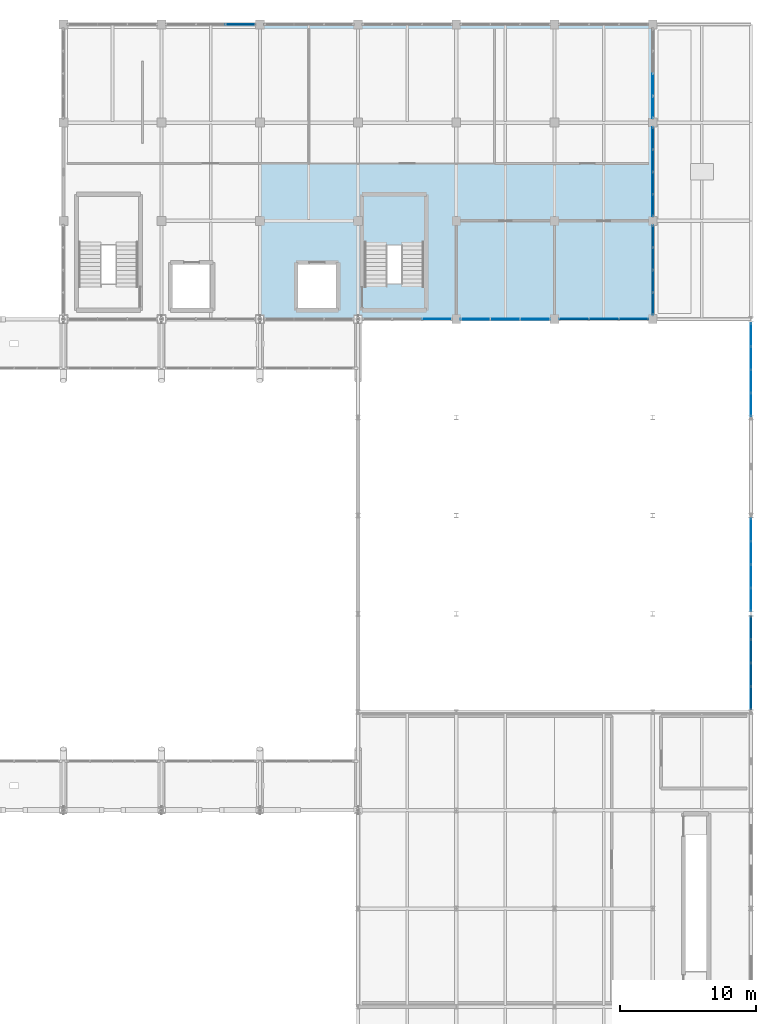
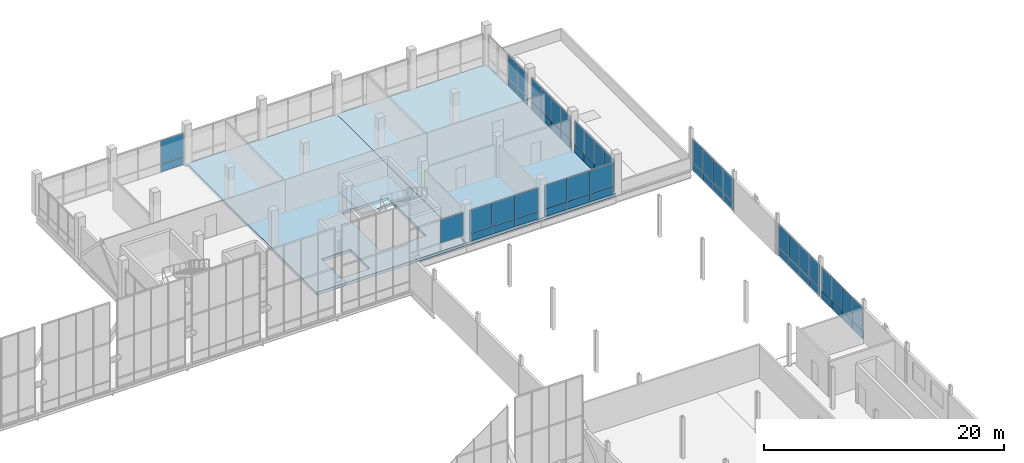
# One storey, part 82 of 102: 59 plates, 3 slabs, 11 elements without a shape of their own.
"""IFC4 building model written with IfcOpenShell, lengths in metres."""

from ifc_helpers import new_model, si_unit, direction, frame, origin, origin_2d, place, context, subcontext, project, spatial, polyline, rectangle, outline, extrude, material, layer, layer_set, type_object, element, aggregate, save


model = new_model("IFC4")

# Units and contexts
model_context = context("Model", 3, precision=1e-05, world=origin(), true_north=direction((0.0, 1.0)))
body_context = subcontext(model_context, "Body", "Model", "MODEL_VIEW")
ifc_project = project(units=[si_unit("LENGTHUNIT", "METRE"), si_unit("AREAUNIT", "SQUARE_METRE"), si_unit("VOLUMEUNIT", "CUBIC_METRE"), si_unit("PLANEANGLEUNIT", "RADIAN"), si_unit("MASSUNIT", "GRAM", prefix="KILO")], contexts=[model_context])

# Site, building, storey
site_placement = place(None, origin())
site = spatial("IfcSite", under=ifc_project, at=site_placement, CompositionType="ELEMENT")
building_placement = place(site_placement, origin())
building = spatial("IfcBuilding", under=site, at=building_placement, Name="Yarey Park Central Fire Station", CompositionType="ELEMENT")
storey_placement = place(building_placement, frame((0.0, 0.0, 6.0)))
storey = spatial("IfcBuildingStorey", under=building, at=storey_placement, Name="L02", CompositionType="ELEMENT", Elevation=6.0)

# Curtain wall, plates
ifc_material_1 = material(Name="Anodized Aluminium Frame", Category="aluminium")
curtain_wall_type = type_object("IfcCurtainWallType", Name="ENV_CW_HQ_L02", PredefinedType="NOTDEFINED", material=ifc_material_1)
curtain_wall_1_placement = place(storey_placement, origin())
curtain_wall_1 = element("IfcCurtainWall", 1, at=curtain_wall_1_placement, inside=storey, type_object=curtain_wall_type, Name="CW_L02_V5_E_2", PredefinedType="NOTDEFINED")
ifc_material_2 = material(Name="Insulated Aluminium Spandrel Panel", Category="aluminium")
ifc_layer_1 = layer(ifc_material_2, 0.055908203125)
ifc_layer_set_1 = layer_set([ifc_layer_1], Name="Insulated Aluminium Spandrel Panel")
plate_type_1 = type_object("IfcPlateType", Name="ENV_PNL_SPN_01", PredefinedType="CURTAIN_PANEL", material=ifc_layer_set_1)
plate_1_placement = place(storey_placement, frame((165.60009765625, 73.02001953125, 0.04248046875), z_axis=(0.0, 0.0, 1.0), x_axis=(0.0, 1.0, 0.0)))
plate_1 = element("IfcPlate", 2, at=plate_1_placement, type_object=plate_type_1, Name="CW_L02_V5_E_2_PNL01", PredefinedType="CURTAIN_PANEL", context=body_context, shape_type="SweptSolid", body=[
    extrude(rectangle(XDim=1.679931640625, YDim=0.055908203125, at=origin_2d()), origin(), (0.0, 0.0, 1.0), 0.7900390625),
])
plate_2_placement = place(storey_placement, frame((165.60009765625, 74.739990234375, 0.04248046875), z_axis=(0.0, 0.0, 1.0), x_axis=(0.0, 1.0, 0.0)))
plate_2 = element("IfcPlate", 3, at=plate_2_placement, type_object=plate_type_1, Name="CW_L02_V5_E_2_PNL03", PredefinedType="CURTAIN_PANEL", context=body_context, shape_type="SweptSolid", body=[
    extrude(rectangle(XDim=1.679931640625, YDim=0.055908203125, at=origin_2d()), origin(), (0.0, 0.0, 1.0), 0.7900390625),
])
plate_3_placement = place(storey_placement, frame((165.60009765625, 76.4599609375, 0.04248046875), z_axis=(0.0, 0.0, 1.0), x_axis=(0.0, 1.0, 0.0)))
plate_3 = element("IfcPlate", 4, at=plate_3_placement, type_object=plate_type_1, Name="CW_L02_V5_E_2_PNL05", PredefinedType="CURTAIN_PANEL", context=body_context, shape_type="SweptSolid", body=[
    extrude(rectangle(XDim=1.679931640625, YDim=0.055908203125, at=origin_2d()), origin(), (0.0, 0.0, 1.0), 0.7900390625),
])
plate_4_placement = place(storey_placement, frame((165.60009765625, 78.179931640625, 0.04248046875), z_axis=(0.0, 0.0, 1.0), x_axis=(0.0, 1.0, 0.0)))
plate_4 = element("IfcPlate", 5, at=plate_4_placement, type_object=plate_type_1, Name="CW_L02_V5_E_2_PNL07", PredefinedType="CURTAIN_PANEL", context=body_context, shape_type="SweptSolid", body=[
    extrude(rectangle(XDim=1.679931640625, YDim=0.055908203125, at=origin_2d()), origin(), (0.0, 0.0, 1.0), 0.7900390625),
])

curtain_wall_2_placement = place(storey_placement, origin())
curtain_wall_2 = element("IfcCurtainWall", 6, at=curtain_wall_2_placement, inside=storey, type_object=curtain_wall_type, Name="CW_L02_V4_E_108", PredefinedType="NOTDEFINED")
plate_5_placement = place(storey_placement, frame((158.39990234375, 109.132568359375, 0.04248046875), z_axis=(0.0, 0.0, 1.0), x_axis=(0.0, 1.0, 0.0)))
plate_5 = element("IfcPlate", 7, at=plate_5_placement, type_object=plate_type_1, Name="CW_L02_V4_E_108_PNL01", PredefinedType="CURTAIN_PANEL", context=body_context, shape_type="SweptSolid", body=[
    extrude(rectangle(XDim=1.60498046875, YDim=0.055908203125, at=origin_2d()), origin(), (0.0, 0.0, 1.0), 0.7900390625),
])
plate_6_placement = place(storey_placement, frame((158.39990234375, 110.777587890625, 0.04248046875), z_axis=(0.0, 0.0, 1.0), x_axis=(0.0, 1.0, 0.0)))
plate_6 = element("IfcPlate", 8, at=plate_6_placement, type_object=plate_type_1, Name="CW_L02_V4_E_108_PNL03", PredefinedType="CURTAIN_PANEL", context=body_context, shape_type="SweptSolid", body=[
    extrude(rectangle(XDim=1.60498046875, YDim=0.055908203125, at=origin_2d()), origin(), (0.0, 0.0, 1.0), 0.7900390625),
])

curtain_wall_3_placement = place(storey_placement, origin())
curtain_wall_3 = element("IfcCurtainWall", 9, at=curtain_wall_3_placement, inside=storey, type_object=curtain_wall_type, Name="CW_L02_V5_E_3", PredefinedType="NOTDEFINED")
ifc_layer_2 = layer(ifc_material_2, 0.068115234375)
ifc_layer_set_2 = layer_set([ifc_layer_2], Name="Insulated Aluminium Spandrel Panel")
plate_type_2 = type_object("IfcPlateType", Name="ENV_PNL_SPN_02", PredefinedType="CURTAIN_PANEL", material=ifc_layer_set_2)
plate_7_placement = place(storey_placement, frame((165.60009765625, 87.3173828125, 0.04248046875), z_axis=(0.0, 0.0, 1.0), x_axis=(0.0, 1.0, 0.0)))
plate_7 = element("IfcPlate", 10, at=plate_7_placement, type_object=plate_type_2, Name="CW_L02_V5_E_3_PNL01", PredefinedType="CURTAIN_PANEL", context=body_context, shape_type="SweptSolid", body=[
    extrude(rectangle(XDim=1.675048828125, YDim=0.068115234375, at=origin_2d()), origin(), (0.0, 0.0, 1.0), 0.7900390625),
])
plate_8_placement = place(storey_placement, frame((165.60009765625, 89.032470703125, 0.04248046875), z_axis=(0.0, 0.0, 1.0), x_axis=(0.0, 1.0, 0.0)))
plate_8 = element("IfcPlate", 11, at=plate_8_placement, type_object=plate_type_2, Name="CW_L02_V5_E_3_PNL03", PredefinedType="CURTAIN_PANEL", context=body_context, shape_type="SweptSolid", body=[
    extrude(rectangle(XDim=1.675048828125, YDim=0.068115234375, at=origin_2d()), origin(), (0.0, 0.0, 1.0), 0.7900390625),
])
plate_9_placement = place(storey_placement, frame((165.60009765625, 90.74755859375, 0.04248046875), z_axis=(0.0, 0.0, 1.0), x_axis=(0.0, 1.0, 0.0)))
plate_9 = element("IfcPlate", 12, at=plate_9_placement, type_object=plate_type_2, Name="CW_L02_V5_E_3_PNL05", PredefinedType="CURTAIN_PANEL", context=body_context, shape_type="SweptSolid", body=[
    extrude(rectangle(XDim=1.675048828125, YDim=0.068115234375, at=origin_2d()), origin(), (0.0, 0.0, 1.0), 0.7900390625),
])
plate_10_placement = place(storey_placement, frame((165.60009765625, 92.46240234375, 0.04248046875), z_axis=(0.0, 0.0, 1.0), x_axis=(0.0, 1.0, 0.0)))
plate_10 = element("IfcPlate", 13, at=plate_10_placement, type_object=plate_type_2, Name="CW_L02_V5_E_3_PNL07", PredefinedType="CURTAIN_PANEL", context=body_context, shape_type="SweptSolid", body=[
    extrude(rectangle(XDim=1.675048828125, YDim=0.068115234375, at=origin_2d()), origin(), (0.0, 0.0, 1.0), 0.7900390625),
])

curtain_wall_4_placement = place(storey_placement, origin())
curtain_wall_4 = element("IfcCurtainWall", 14, at=curtain_wall_4_placement, inside=storey, type_object=curtain_wall_type, Name="CW_L02_V4_S_5", PredefinedType="NOTDEFINED")
plate_11_placement = place(storey_placement, frame((145.40673828125, 93.60009765625, 0.04248046875), z_axis=(0.0, 0.0, 1.0), x_axis=(1.0, 0.0, 0.0)))
plate_11 = element("IfcPlate", 15, at=plate_11_placement, type_object=plate_type_2, Name="CW_L02_V4_S_5_PNL01", PredefinedType="CURTAIN_PANEL", context=body_context, shape_type="SweptSolid", body=[
    extrude(rectangle(XDim=2.1533203125, YDim=0.068115234375, at=origin_2d()), origin(), (0.0, 0.0, 1.0), 0.7900390625),
])
plate_12_placement = place(storey_placement, frame((147.60009765625, 93.60009765625, 0.04248046875), z_axis=(0.0, 0.0, 1.0), x_axis=(1.0, 0.0, 0.0)))
plate_12 = element("IfcPlate", 16, at=plate_12_placement, type_object=plate_type_2, Name="CW_L02_V4_S_5_PNL03", PredefinedType="CURTAIN_PANEL", context=body_context, shape_type="SweptSolid", body=[
    extrude(rectangle(XDim=2.1533203125, YDim=0.068115234375, at=origin_2d()), origin(), (0.0, 0.0, 1.0), 0.7900390625),
])
plate_13_placement = place(storey_placement, frame((149.793212890625, 93.60009765625, 0.04248046875), z_axis=(0.0, 0.0, 1.0), x_axis=(1.0, 0.0, 0.0)))
plate_13 = element("IfcPlate", 17, at=plate_13_placement, type_object=plate_type_2, Name="CW_L02_V4_S_5_PNL05", PredefinedType="CURTAIN_PANEL", context=body_context, shape_type="SweptSolid", body=[
    extrude(rectangle(XDim=2.1533203125, YDim=0.068115234375, at=origin_2d()), origin(), (0.0, 0.0, 1.0), 0.7900390625),
])

# Curtain wall, plate
curtain_wall_5_placement = place(storey_placement, origin())
curtain_wall_5 = element("IfcCurtainWall", 18, at=curtain_wall_5_placement, inside=storey, type_object=curtain_wall_type, Name="CW_L02_V4_N_2", PredefinedType="NOTDEFINED")
ifc_layer_3 = layer(ifc_material_2, 0.077880859375)
ifc_layer_set_3 = layer_set([ifc_layer_3], Name="Insulated Aluminium Spandrel Panel")
plate_type_3 = type_object("IfcPlateType", Name="ENV_PNL_SPN_03", PredefinedType="CURTAIN_PANEL", material=ifc_layer_set_3)
plate_14_placement = place(storey_placement, frame((128.193359375, 115.199951171875, 0.04248046875), z_axis=(0.0, 0.0, 1.0), x_axis=(-1.0, 0.0, 0.0)))
plate_14 = element("IfcPlate", 19, at=plate_14_placement, type_object=plate_type_3, Name="CW_L02_V4_N_2_PNL01", PredefinedType="CURTAIN_PANEL", context=body_context, shape_type="SweptSolid", body=[
    extrude(rectangle(XDim=2.1533203125, YDim=0.077880859375, at=origin_2d()), origin(), (0.0, 0.0, 1.0), 0.7900390625),
])

# Curtain wall, plates
curtain_wall_6_placement = place(storey_placement, origin())
curtain_wall_6 = element("IfcCurtainWall", 20, at=curtain_wall_6_placement, inside=storey, type_object=curtain_wall_type, Name="CW_L02_V4_E_93", PredefinedType="NOTDEFINED")
plate_15_placement = place(storey_placement, frame((158.39990234375, 94.732421875, 0.04248046875), z_axis=(0.0, 0.0, 1.0), x_axis=(0.0, 1.0, 0.0)))
plate_15 = element("IfcPlate", 21, at=plate_15_placement, type_object=plate_type_3, Name="CW_L02_V4_E_93_PNL01", PredefinedType="CURTAIN_PANEL", context=body_context, shape_type="SweptSolid", body=[
    extrude(rectangle(XDim=1.60498046875, YDim=0.077880859375, at=origin_2d()), origin(), (0.0, 0.0, 1.0), 0.7900390625),
])
plate_16_placement = place(storey_placement, frame((158.39990234375, 96.37744140625, 0.04248046875), z_axis=(0.0, 0.0, 1.0), x_axis=(0.0, 1.0, 0.0)))
plate_16 = element("IfcPlate", 22, at=plate_16_placement, type_object=plate_type_3, Name="CW_L02_V4_E_93_PNL03", PredefinedType="CURTAIN_PANEL", context=body_context, shape_type="SweptSolid", body=[
    extrude(rectangle(XDim=1.60498046875, YDim=0.077880859375, at=origin_2d()), origin(), (0.0, 0.0, 1.0), 0.7900390625),
])
plate_17_placement = place(storey_placement, frame((158.39990234375, 98.0224609375, 0.04248046875), z_axis=(0.0, 0.0, 1.0), x_axis=(0.0, 1.0, 0.0)))
plate_17 = element("IfcPlate", 23, at=plate_17_placement, type_object=plate_type_3, Name="CW_L02_V4_E_93_PNL05", PredefinedType="CURTAIN_PANEL", context=body_context, shape_type="SweptSolid", body=[
    extrude(rectangle(XDim=1.60498046875, YDim=0.077880859375, at=origin_2d()), origin(), (0.0, 0.0, 1.0), 0.7900390625),
])
plate_18_placement = place(storey_placement, frame((158.39990234375, 99.66748046875, 0.04248046875), z_axis=(0.0, 0.0, 1.0), x_axis=(0.0, 1.0, 0.0)))
plate_18 = element("IfcPlate", 24, at=plate_18_placement, type_object=plate_type_3, Name="CW_L02_V4_E_93_PNL07", PredefinedType="CURTAIN_PANEL", context=body_context, shape_type="SweptSolid", body=[
    extrude(rectangle(XDim=1.60498046875, YDim=0.077880859375, at=origin_2d()), origin(), (0.0, 0.0, 1.0), 0.7900390625),
])

curtain_wall_7_placement = place(storey_placement, origin())
curtain_wall_7 = element("IfcCurtainWall", 25, at=curtain_wall_7_placement, inside=storey, type_object=curtain_wall_type, Name="CW_L02_V5_E_1", PredefinedType="NOTDEFINED")
ifc_layer_4 = layer(ifc_material_2, 0.087890625)
ifc_layer_set_4 = layer_set([ifc_layer_4], Name="Insulated Aluminium Spandrel Panel")
plate_type_4 = type_object("IfcPlateType", Name="ENV_PNL_SPN_04", PredefinedType="CURTAIN_PANEL", material=ifc_layer_set_4)
plate_19_placement = place(storey_placement, frame((165.60009765625, 65.820068359375, 0.04248046875), z_axis=(0.0, 0.0, 1.0), x_axis=(0.0, 1.0, 0.0)))
plate_19 = element("IfcPlate", 26, at=plate_19_placement, type_object=plate_type_4, Name="CW_L02_V5_E_1_PNL01", PredefinedType="CURTAIN_PANEL", context=body_context, shape_type="SweptSolid", body=[
    extrude(rectangle(XDim=1.679931640625, YDim=0.087890625, at=origin_2d()), origin(), (0.0, 0.0, 1.0), 0.7900390625),
])
plate_20_placement = place(storey_placement, frame((165.60009765625, 67.5400390625, 0.04248046875), z_axis=(0.0, 0.0, 1.0), x_axis=(0.0, 1.0, 0.0)))
plate_20 = element("IfcPlate", 27, at=plate_20_placement, type_object=plate_type_4, Name="CW_L02_V5_E_1_PNL03", PredefinedType="CURTAIN_PANEL", context=body_context, shape_type="SweptSolid", body=[
    extrude(rectangle(XDim=1.679931640625, YDim=0.087890625, at=origin_2d()), origin(), (0.0, 0.0, 1.0), 0.7900390625),
])
plate_21_placement = place(storey_placement, frame((165.60009765625, 69.260009765625, 0.04248046875), z_axis=(0.0, 0.0, 1.0), x_axis=(0.0, 1.0, 0.0)))
plate_21 = element("IfcPlate", 28, at=plate_21_placement, type_object=plate_type_4, Name="CW_L02_V5_E_1_PNL05", PredefinedType="CURTAIN_PANEL", context=body_context, shape_type="SweptSolid", body=[
    extrude(rectangle(XDim=1.679931640625, YDim=0.087890625, at=origin_2d()), origin(), (0.0, 0.0, 1.0), 0.7900390625),
])
plate_22_placement = place(storey_placement, frame((165.60009765625, 70.97998046875, 0.04248046875), z_axis=(0.0, 0.0, 1.0), x_axis=(0.0, 1.0, 0.0)))
plate_22 = element("IfcPlate", 29, at=plate_22_placement, type_object=plate_type_4, Name="CW_L02_V5_E_1_PNL07", PredefinedType="CURTAIN_PANEL", context=body_context, shape_type="SweptSolid", body=[
    extrude(rectangle(XDim=1.679931640625, YDim=0.087890625, at=origin_2d()), origin(), (0.0, 0.0, 1.0), 0.7900390625),
])

curtain_wall_8_placement = place(storey_placement, origin())
curtain_wall_8 = element("IfcCurtainWall", 30, at=curtain_wall_8_placement, inside=storey, type_object=curtain_wall_type, Name="CW_L02_V4_S_6", PredefinedType="NOTDEFINED")
plate_23_placement = place(storey_placement, frame((152.606689453125, 93.60009765625, 0.04248046875), z_axis=(0.0, 0.0, 1.0), x_axis=(1.0, 0.0, 0.0)))
plate_23 = element("IfcPlate", 31, at=plate_23_placement, type_object=plate_type_4, Name="CW_L02_V4_S_6_PNL01", PredefinedType="CURTAIN_PANEL", context=body_context, shape_type="SweptSolid", body=[
    extrude(rectangle(XDim=2.1533203125, YDim=0.087890625, at=origin_2d()), origin(), (0.0, 0.0, 1.0), 0.7900390625),
])
plate_24_placement = place(storey_placement, frame((154.800048828125, 93.60009765625, 0.04248046875), z_axis=(0.0, 0.0, 1.0), x_axis=(1.0, 0.0, 0.0)))
plate_24 = element("IfcPlate", 32, at=plate_24_placement, type_object=plate_type_4, Name="CW_L02_V4_S_6_PNL03", PredefinedType="CURTAIN_PANEL", context=body_context, shape_type="SweptSolid", body=[
    extrude(rectangle(XDim=2.1533203125, YDim=0.087890625, at=origin_2d()), origin(), (0.0, 0.0, 1.0), 0.7900390625),
])
plate_25_placement = place(storey_placement, frame((156.993408203125, 93.60009765625, 0.04248046875), z_axis=(0.0, 0.0, 1.0), x_axis=(1.0, 0.0, 0.0)))
plate_25 = element("IfcPlate", 33, at=plate_25_placement, type_object=plate_type_4, Name="CW_L02_V4_S_6_PNL05", PredefinedType="CURTAIN_PANEL", context=body_context, shape_type="SweptSolid", body=[
    extrude(rectangle(XDim=2.1533203125, YDim=0.087890625, at=origin_2d()), origin(), (0.0, 0.0, 1.0), 0.7900390625),
])

curtain_wall_9_placement = place(storey_placement, origin())
curtain_wall_9 = element("IfcCurtainWall", 34, at=curtain_wall_9_placement, inside=storey, type_object=curtain_wall_type, Name="CW_L02_V4_E_100", PredefinedType="NOTDEFINED")
plate_26_placement = place(storey_placement, frame((158.39990234375, 101.9326171875, 0.04248046875), z_axis=(0.0, 0.0, 1.0), x_axis=(0.0, 1.0, 0.0)))
plate_26 = element("IfcPlate", 35, at=plate_26_placement, type_object=plate_type_4, Name="CW_L02_V4_E_100_PNL01", PredefinedType="CURTAIN_PANEL", context=body_context, shape_type="SweptSolid", body=[
    extrude(rectangle(XDim=1.60498046875, YDim=0.087890625, at=origin_2d()), origin(), (0.0, 0.0, 1.0), 0.7900390625),
])
plate_27_placement = place(storey_placement, frame((158.39990234375, 103.577392578125, 0.04248046875), z_axis=(0.0, 0.0, 1.0), x_axis=(0.0, 1.0, 0.0)))
plate_27 = element("IfcPlate", 36, at=plate_27_placement, type_object=plate_type_4, Name="CW_L02_V4_E_100_PNL03", PredefinedType="CURTAIN_PANEL", context=body_context, shape_type="SweptSolid", body=[
    extrude(rectangle(XDim=1.60498046875, YDim=0.087890625, at=origin_2d()), origin(), (0.0, 0.0, 1.0), 0.7900390625),
])
plate_28_placement = place(storey_placement, frame((158.39990234375, 105.222412109375, 0.04248046875), z_axis=(0.0, 0.0, 1.0), x_axis=(0.0, 1.0, 0.0)))
plate_28 = element("IfcPlate", 37, at=plate_28_placement, type_object=plate_type_4, Name="CW_L02_V4_E_100_PNL05", PredefinedType="CURTAIN_PANEL", context=body_context, shape_type="SweptSolid", body=[
    extrude(rectangle(XDim=1.60498046875, YDim=0.087890625, at=origin_2d()), origin(), (0.0, 0.0, 1.0), 0.7900390625),
])
plate_29_placement = place(storey_placement, frame((158.39990234375, 106.867431640625, 0.04248046875), z_axis=(0.0, 0.0, 1.0), x_axis=(0.0, 1.0, 0.0)))
plate_29 = element("IfcPlate", 38, at=plate_29_placement, type_object=plate_type_4, Name="CW_L02_V4_E_100_PNL07", PredefinedType="CURTAIN_PANEL", context=body_context, shape_type="SweptSolid", body=[
    extrude(rectangle(XDim=1.60498046875, YDim=0.087890625, at=origin_2d()), origin(), (0.0, 0.0, 1.0), 0.7900390625),
])

# Plate
ifc_material_3 = material(Name="Laminated Hurricane Low-E Glass", Category="glass")
ifc_layer_5 = layer(ifc_material_3, 0.02392578125)
ifc_layer_set_5 = layer_set([ifc_layer_5], Name="Laminated Hurricane Low-E Glass")
plate_type_5 = type_object("IfcPlateType", Name="ENV_PNL_VIS_01", PredefinedType="CURTAIN_PANEL", material=ifc_layer_set_5)
plate_30_placement = place(storey_placement, frame((165.60009765625, 73.02001953125, 0.86767578125), z_axis=(0.0, 0.0, 1.0), x_axis=(0.0, 1.0, 0.0)))
plate_30 = element("IfcPlate", 39, at=plate_30_placement, type_object=plate_type_5, Name="CW_L02_V5_E_2_PNL02", PredefinedType="CURTAIN_PANEL", context=body_context, shape_type="SweptSolid", body=[
    extrude(rectangle(XDim=1.679931640625, YDim=0.02392578125, at=origin_2d()), origin(), (0.0, 0.0, 1.0), 2.340087890625),
])

plate_31_placement = place(storey_placement, frame((165.60009765625, 74.739990234375, 0.86767578125), z_axis=(0.0, 0.0, 1.0), x_axis=(0.0, 1.0, 0.0)))
plate_31 = element("IfcPlate", 40, at=plate_31_placement, type_object=plate_type_5, Name="CW_L02_V5_E_2_PNL04", PredefinedType="CURTAIN_PANEL", context=body_context, shape_type="SweptSolid", body=[
    extrude(rectangle(XDim=1.679931640625, YDim=0.02392578125, at=origin_2d()), origin(), (0.0, 0.0, 1.0), 2.340087890625),
])

plate_32_placement = place(storey_placement, frame((165.60009765625, 76.4599609375, 0.86767578125), z_axis=(0.0, 0.0, 1.0), x_axis=(0.0, 1.0, 0.0)))
plate_32 = element("IfcPlate", 41, at=plate_32_placement, type_object=plate_type_5, Name="CW_L02_V5_E_2_PNL06", PredefinedType="CURTAIN_PANEL", context=body_context, shape_type="SweptSolid", body=[
    extrude(rectangle(XDim=1.679931640625, YDim=0.02392578125, at=origin_2d()), origin(), (0.0, 0.0, 1.0), 2.340087890625),
])

plate_33_placement = place(storey_placement, frame((165.60009765625, 78.179931640625, 0.86767578125), z_axis=(0.0, 0.0, 1.0), x_axis=(0.0, 1.0, 0.0)))
plate_33 = element("IfcPlate", 42, at=plate_33_placement, type_object=plate_type_5, Name="CW_L02_V5_E_2_PNL08", PredefinedType="CURTAIN_PANEL", context=body_context, shape_type="SweptSolid", body=[
    extrude(rectangle(XDim=1.679931640625, YDim=0.02392578125, at=origin_2d()), origin(), (0.0, 0.0, 1.0), 2.340087890625),
])

aggregate(curtain_wall_1, [plate_1, plate_30, plate_2, plate_31, plate_3, plate_32, plate_4, plate_33])

plate_34_placement = place(storey_placement, frame((158.39990234375, 109.132568359375, 0.86767578125), z_axis=(0.0, 0.0, 1.0), x_axis=(0.0, 1.0, 0.0)))
plate_34 = element("IfcPlate", 43, at=plate_34_placement, type_object=plate_type_5, Name="CW_L02_V4_E_108_PNL02", PredefinedType="CURTAIN_PANEL", context=body_context, shape_type="SweptSolid", body=[
    extrude(rectangle(XDim=1.60498046875, YDim=0.02392578125, at=origin_2d()), origin(), (0.0, 0.0, 1.0), 2.340087890625),
])

plate_35_placement = place(storey_placement, frame((158.39990234375, 110.777587890625, 0.86767578125), z_axis=(0.0, 0.0, 1.0), x_axis=(0.0, 1.0, 0.0)))
plate_35 = element("IfcPlate", 44, at=plate_35_placement, type_object=plate_type_5, Name="CW_L02_V4_E_108_PNL04", PredefinedType="CURTAIN_PANEL", context=body_context, shape_type="SweptSolid", body=[
    extrude(rectangle(XDim=1.60498046875, YDim=0.02392578125, at=origin_2d()), origin(), (0.0, 0.0, 1.0), 2.340087890625),
])

aggregate(curtain_wall_2, [plate_5, plate_34, plate_6, plate_35])

ifc_layer_6 = layer(ifc_material_3, 0.031982421875)
ifc_layer_set_6 = layer_set([ifc_layer_6], Name="Laminated Hurricane Low-E Glass")
plate_type_6 = type_object("IfcPlateType", Name="ENV_PNL_VIS_02", PredefinedType="CURTAIN_PANEL", material=ifc_layer_set_6)
plate_36_placement = place(storey_placement, frame((165.60009765625, 87.3173828125, 0.86767578125), z_axis=(0.0, 0.0, 1.0), x_axis=(0.0, 1.0, 0.0)))
plate_36 = element("IfcPlate", 45, at=plate_36_placement, type_object=plate_type_6, Name="CW_L02_V5_E_3_PNL02", PredefinedType="CURTAIN_PANEL", context=body_context, shape_type="SweptSolid", body=[
    extrude(rectangle(XDim=1.675048828125, YDim=0.031982421875, at=origin_2d()), origin(), (0.0, 0.0, 1.0), 2.340087890625),
])

plate_37_placement = place(storey_placement, frame((165.60009765625, 89.032470703125, 0.86767578125), z_axis=(0.0, 0.0, 1.0), x_axis=(0.0, 1.0, 0.0)))
plate_37 = element("IfcPlate", 46, at=plate_37_placement, type_object=plate_type_6, Name="CW_L02_V5_E_3_PNL04", PredefinedType="CURTAIN_PANEL", context=body_context, shape_type="SweptSolid", body=[
    extrude(rectangle(XDim=1.675048828125, YDim=0.031982421875, at=origin_2d()), origin(), (0.0, 0.0, 1.0), 2.340087890625),
])

plate_38_placement = place(storey_placement, frame((165.60009765625, 90.74755859375, 0.86767578125), z_axis=(0.0, 0.0, 1.0), x_axis=(0.0, 1.0, 0.0)))
plate_38 = element("IfcPlate", 47, at=plate_38_placement, type_object=plate_type_6, Name="CW_L02_V5_E_3_PNL06", PredefinedType="CURTAIN_PANEL", context=body_context, shape_type="SweptSolid", body=[
    extrude(rectangle(XDim=1.675048828125, YDim=0.031982421875, at=origin_2d()), origin(), (0.0, 0.0, 1.0), 2.340087890625),
])

plate_39_placement = place(storey_placement, frame((165.60009765625, 92.46240234375, 0.86767578125), z_axis=(0.0, 0.0, 1.0), x_axis=(0.0, 1.0, 0.0)))
plate_39 = element("IfcPlate", 48, at=plate_39_placement, type_object=plate_type_6, Name="CW_L02_V5_E_3_PNL08", PredefinedType="CURTAIN_PANEL", context=body_context, shape_type="SweptSolid", body=[
    extrude(rectangle(XDim=1.675048828125, YDim=0.031982421875, at=origin_2d()), origin(), (0.0, 0.0, 1.0), 2.340087890625),
])

aggregate(curtain_wall_3, [plate_7, plate_36, plate_8, plate_37, plate_9, plate_38, plate_10, plate_39])

plate_40_placement = place(storey_placement, frame((145.40673828125, 93.60009765625, 0.867431640625), z_axis=(0.0, 0.0, 1.0), x_axis=(1.0, 0.0, 0.0)))
plate_40 = element("IfcPlate", 49, at=plate_40_placement, type_object=plate_type_6, Name="CW_L02_V4_S_5_PNL02", PredefinedType="CURTAIN_PANEL", context=body_context, shape_type="SweptSolid", body=[
    extrude(rectangle(XDim=2.1533203125, YDim=0.031982421875, at=origin_2d()), origin(), (0.0, 0.0, 1.0), 2.3369140625),
])

plate_41_placement = place(storey_placement, frame((147.60009765625, 93.60009765625, 0.867431640625), z_axis=(0.0, 0.0, 1.0), x_axis=(1.0, 0.0, 0.0)))
plate_41 = element("IfcPlate", 50, at=plate_41_placement, type_object=plate_type_6, Name="CW_L02_V4_S_5_PNL04", PredefinedType="CURTAIN_PANEL", context=body_context, shape_type="SweptSolid", body=[
    extrude(rectangle(XDim=2.1533203125, YDim=0.031982421875, at=origin_2d()), origin(), (0.0, 0.0, 1.0), 2.3369140625),
])

plate_42_placement = place(storey_placement, frame((149.793212890625, 93.60009765625, 0.867431640625), z_axis=(0.0, 0.0, 1.0), x_axis=(1.0, 0.0, 0.0)))
plate_42 = element("IfcPlate", 51, at=plate_42_placement, type_object=plate_type_6, Name="CW_L02_V4_S_5_PNL06", PredefinedType="CURTAIN_PANEL", context=body_context, shape_type="SweptSolid", body=[
    extrude(rectangle(XDim=2.1533203125, YDim=0.031982421875, at=origin_2d()), origin(), (0.0, 0.0, 1.0), 2.3369140625),
])

aggregate(curtain_wall_4, [plate_11, plate_40, plate_12, plate_41, plate_13, plate_42])

ifc_layer_7 = layer(ifc_material_3, 0.0380859375)
ifc_layer_set_7 = layer_set([ifc_layer_7], Name="Laminated Hurricane Low-E Glass")
plate_type_7 = type_object("IfcPlateType", Name="ENV_PNL_VIS_03", PredefinedType="CURTAIN_PANEL", material=ifc_layer_set_7)
plate_43_placement = place(storey_placement, frame((128.193359375, 115.199951171875, 0.867431640625), z_axis=(0.0, 0.0, 1.0), x_axis=(-1.0, 0.0, 0.0)))
plate_43 = element("IfcPlate", 52, at=plate_43_placement, type_object=plate_type_7, Name="CW_L02_V4_N_2_PNL02", PredefinedType="CURTAIN_PANEL", context=body_context, shape_type="SweptSolid", body=[
    extrude(rectangle(XDim=2.1533203125, YDim=0.0380859375, at=origin_2d()), origin(), (0.0, 0.0, 1.0), 2.3369140625),
])

aggregate(curtain_wall_5, [plate_14, plate_43])

plate_44_placement = place(storey_placement, frame((158.39990234375, 94.732421875, 0.86767578125), z_axis=(0.0, 0.0, 1.0), x_axis=(0.0, 1.0, 0.0)))
plate_44 = element("IfcPlate", 53, at=plate_44_placement, type_object=plate_type_7, Name="CW_L02_V4_E_93_PNL02", PredefinedType="CURTAIN_PANEL", context=body_context, shape_type="SweptSolid", body=[
    extrude(rectangle(XDim=1.60498046875, YDim=0.0380859375, at=origin_2d()), origin(), (0.0, 0.0, 1.0), 2.340087890625),
])

plate_45_placement = place(storey_placement, frame((158.39990234375, 96.37744140625, 0.86767578125), z_axis=(0.0, 0.0, 1.0), x_axis=(0.0, 1.0, 0.0)))
plate_45 = element("IfcPlate", 54, at=plate_45_placement, type_object=plate_type_7, Name="CW_L02_V4_E_93_PNL04", PredefinedType="CURTAIN_PANEL", context=body_context, shape_type="SweptSolid", body=[
    extrude(rectangle(XDim=1.60498046875, YDim=0.0380859375, at=origin_2d()), origin(), (0.0, 0.0, 1.0), 2.340087890625),
])

plate_46_placement = place(storey_placement, frame((158.39990234375, 98.0224609375, 0.86767578125), z_axis=(0.0, 0.0, 1.0), x_axis=(0.0, 1.0, 0.0)))
plate_46 = element("IfcPlate", 55, at=plate_46_placement, type_object=plate_type_7, Name="CW_L02_V4_E_93_PNL06", PredefinedType="CURTAIN_PANEL", context=body_context, shape_type="SweptSolid", body=[
    extrude(rectangle(XDim=1.60498046875, YDim=0.0380859375, at=origin_2d()), origin(), (0.0, 0.0, 1.0), 2.340087890625),
])

plate_47_placement = place(storey_placement, frame((158.39990234375, 99.66748046875, 0.86767578125), z_axis=(0.0, 0.0, 1.0), x_axis=(0.0, 1.0, 0.0)))
plate_47 = element("IfcPlate", 56, at=plate_47_placement, type_object=plate_type_7, Name="CW_L02_V4_E_93_PNL08", PredefinedType="CURTAIN_PANEL", context=body_context, shape_type="SweptSolid", body=[
    extrude(rectangle(XDim=1.60498046875, YDim=0.0380859375, at=origin_2d()), origin(), (0.0, 0.0, 1.0), 2.340087890625),
])

aggregate(curtain_wall_6, [plate_15, plate_44, plate_16, plate_45, plate_17, plate_46, plate_18, plate_47])

ifc_layer_8 = layer(ifc_material_3, 0.0458984375)
ifc_layer_set_8 = layer_set([ifc_layer_8], Name="Laminated Hurricane Low-E Glass")
plate_type_8 = type_object("IfcPlateType", Name="ENV_PNL_VIS_04", PredefinedType="CURTAIN_PANEL", material=ifc_layer_set_8)
plate_48_placement = place(storey_placement, frame((165.60009765625, 65.820068359375, 0.86767578125), z_axis=(0.0, 0.0, 1.0), x_axis=(0.0, 1.0, 0.0)))
plate_48 = element("IfcPlate", 57, at=plate_48_placement, type_object=plate_type_8, Name="CW_L02_V5_E_1_PNL02", PredefinedType="CURTAIN_PANEL", context=body_context, shape_type="SweptSolid", body=[
    extrude(rectangle(XDim=1.679931640625, YDim=0.0458984375, at=origin_2d()), origin(), (0.0, 0.0, 1.0), 2.340087890625),
])

plate_49_placement = place(storey_placement, frame((165.60009765625, 67.5400390625, 0.86767578125), z_axis=(0.0, 0.0, 1.0), x_axis=(0.0, 1.0, 0.0)))
plate_49 = element("IfcPlate", 58, at=plate_49_placement, type_object=plate_type_8, Name="CW_L02_V5_E_1_PNL04", PredefinedType="CURTAIN_PANEL", context=body_context, shape_type="SweptSolid", body=[
    extrude(rectangle(XDim=1.679931640625, YDim=0.0458984375, at=origin_2d()), origin(), (0.0, 0.0, 1.0), 2.340087890625),
])

plate_50_placement = place(storey_placement, frame((165.60009765625, 69.260009765625, 0.86767578125), z_axis=(0.0, 0.0, 1.0), x_axis=(0.0, 1.0, 0.0)))
plate_50 = element("IfcPlate", 59, at=plate_50_placement, type_object=plate_type_8, Name="CW_L02_V5_E_1_PNL06", PredefinedType="CURTAIN_PANEL", context=body_context, shape_type="SweptSolid", body=[
    extrude(rectangle(XDim=1.679931640625, YDim=0.0458984375, at=origin_2d()), origin(), (0.0, 0.0, 1.0), 2.340087890625),
])

plate_51_placement = place(storey_placement, frame((165.60009765625, 70.97998046875, 0.86767578125), z_axis=(0.0, 0.0, 1.0), x_axis=(0.0, 1.0, 0.0)))
plate_51 = element("IfcPlate", 60, at=plate_51_placement, type_object=plate_type_8, Name="CW_L02_V5_E_1_PNL08", PredefinedType="CURTAIN_PANEL", context=body_context, shape_type="SweptSolid", body=[
    extrude(rectangle(XDim=1.679931640625, YDim=0.0458984375, at=origin_2d()), origin(), (0.0, 0.0, 1.0), 2.340087890625),
])

aggregate(curtain_wall_7, [plate_19, plate_48, plate_20, plate_49, plate_21, plate_50, plate_22, plate_51])

# Curtain wall, plate
curtain_wall_10_placement = place(storey_placement, origin())
curtain_wall_10 = element("IfcCurtainWall", 61, at=curtain_wall_10_placement, inside=storey, type_object=curtain_wall_type, Name="CW_L02_V4_S_4", PredefinedType="NOTDEFINED")
plate_52_placement = place(storey_placement, frame((142.59326171875, 93.60009765625, 0.867431640625), z_axis=(0.0, 0.0, 1.0), x_axis=(1.0, 0.0, 0.0)))
plate_52 = element("IfcPlate", 62, at=plate_52_placement, type_object=plate_type_8, Name="CW_L02_V4_S_4_PNL06", PredefinedType="CURTAIN_PANEL", context=body_context, shape_type="SweptSolid", body=[
    extrude(rectangle(XDim=2.1533203125, YDim=0.0458984375, at=origin_2d()), origin(), (0.0, 0.0, 1.0), 2.3369140625),
])
aggregate(curtain_wall_10, [plate_52])

# Plate
plate_53_placement = place(storey_placement, frame((152.606689453125, 93.60009765625, 0.867431640625), z_axis=(0.0, 0.0, 1.0), x_axis=(1.0, 0.0, 0.0)))
plate_53 = element("IfcPlate", 63, at=plate_53_placement, type_object=plate_type_8, Name="CW_L02_V4_S_6_PNL02", PredefinedType="CURTAIN_PANEL", context=body_context, shape_type="SweptSolid", body=[
    extrude(rectangle(XDim=2.1533203125, YDim=0.0458984375, at=origin_2d()), origin(), (0.0, 0.0, 1.0), 2.3369140625),
])

plate_54_placement = place(storey_placement, frame((154.800048828125, 93.60009765625, 0.867431640625), z_axis=(0.0, 0.0, 1.0), x_axis=(1.0, 0.0, 0.0)))
plate_54 = element("IfcPlate", 64, at=plate_54_placement, type_object=plate_type_8, Name="CW_L02_V4_S_6_PNL04", PredefinedType="CURTAIN_PANEL", context=body_context, shape_type="SweptSolid", body=[
    extrude(rectangle(XDim=2.1533203125, YDim=0.0458984375, at=origin_2d()), origin(), (0.0, 0.0, 1.0), 2.3369140625),
])

plate_55_placement = place(storey_placement, frame((156.993408203125, 93.60009765625, 0.867431640625), z_axis=(0.0, 0.0, 1.0), x_axis=(1.0, 0.0, 0.0)))
plate_55 = element("IfcPlate", 65, at=plate_55_placement, type_object=plate_type_8, Name="CW_L02_V4_S_6_PNL06", PredefinedType="CURTAIN_PANEL", context=body_context, shape_type="SweptSolid", body=[
    extrude(rectangle(XDim=2.1533203125, YDim=0.0458984375, at=origin_2d()), origin(), (0.0, 0.0, 1.0), 2.3369140625),
])

aggregate(curtain_wall_8, [plate_23, plate_53, plate_24, plate_54, plate_25, plate_55])

plate_56_placement = place(storey_placement, frame((158.39990234375, 101.9326171875, 0.86767578125), z_axis=(0.0, 0.0, 1.0), x_axis=(0.0, 1.0, 0.0)))
plate_56 = element("IfcPlate", 66, at=plate_56_placement, type_object=plate_type_8, Name="CW_L02_V4_E_100_PNL02", PredefinedType="CURTAIN_PANEL", context=body_context, shape_type="SweptSolid", body=[
    extrude(rectangle(XDim=1.60498046875, YDim=0.0458984375, at=origin_2d()), origin(), (0.0, 0.0, 1.0), 2.340087890625),
])

plate_57_placement = place(storey_placement, frame((158.39990234375, 103.577392578125, 0.86767578125), z_axis=(0.0, 0.0, 1.0), x_axis=(0.0, 1.0, 0.0)))
plate_57 = element("IfcPlate", 67, at=plate_57_placement, type_object=plate_type_8, Name="CW_L02_V4_E_100_PNL04", PredefinedType="CURTAIN_PANEL", context=body_context, shape_type="SweptSolid", body=[
    extrude(rectangle(XDim=1.60498046875, YDim=0.0458984375, at=origin_2d()), origin(), (0.0, 0.0, 1.0), 2.340087890625),
])

plate_58_placement = place(storey_placement, frame((158.39990234375, 105.222412109375, 0.86767578125), z_axis=(0.0, 0.0, 1.0), x_axis=(0.0, 1.0, 0.0)))
plate_58 = element("IfcPlate", 68, at=plate_58_placement, type_object=plate_type_8, Name="CW_L02_V4_E_100_PNL06", PredefinedType="CURTAIN_PANEL", context=body_context, shape_type="SweptSolid", body=[
    extrude(rectangle(XDim=1.60498046875, YDim=0.0458984375, at=origin_2d()), origin(), (0.0, 0.0, 1.0), 2.340087890625),
])

plate_59_placement = place(storey_placement, frame((158.39990234375, 106.867431640625, 0.86767578125), z_axis=(0.0, 0.0, 1.0), x_axis=(0.0, 1.0, 0.0)))
plate_59 = element("IfcPlate", 69, at=plate_59_placement, type_object=plate_type_8, Name="CW_L02_V4_E_100_PNL08", PredefinedType="CURTAIN_PANEL", context=body_context, shape_type="SweptSolid", body=[
    extrude(rectangle(XDim=1.60498046875, YDim=0.0458984375, at=origin_2d()), origin(), (0.0, 0.0, 1.0), 2.340087890625),
])

aggregate(curtain_wall_9, [plate_26, plate_56, plate_27, plate_57, plate_28, plate_58, plate_29, plate_59])

# Stair, slab
ifc_material_4 = material(Name="Concrete C40/50", Category="concrete")
stair_type = type_object("IfcStairType", Name="INT_ST_2RUN_150_H42", PredefinedType="USERDEFINED", material=ifc_material_4)
stair_placement = place(storey_placement, origin())
stair = element("IfcStair", 70, at=stair_placement, inside=storey, type_object=stair_type, Name="Exit Stair ST-2 L02", ObjectType="TWO_RUN_STAIR", PredefinedType="USERDEFINED")
ifc_layer_9 = layer(ifc_material_4, 0.205078125)
ifc_layer_set_9 = layer_set([ifc_layer_9], Name="Concrete C40/50")
slab_type_1 = type_object("IfcSlabType", Name="INT_SLAB_LND205", PredefinedType="LANDING", material=ifc_layer_set_9)
slab_1_placement = place(storey_placement, frame((0.0, 0.0, 1.89501953125)))
slab_1 = element("IfcSlab", 71, at=slab_1_placement, type_object=slab_type_1, Name="STAIR_C2_L02_LND", PredefinedType="LANDING", context=body_context, shape_type="SweptSolid", body=[
    extrude(outline(polyline([(137.10009765625, 99.0), (141.800048828125, 99.0), (141.800048828125, 102.75), (137.10009765625, 102.75), (137.10009765625, 99.0)])), origin(), (0.0, 0.0, 1.0), 0.205078125),
])
aggregate(stair, [slab_1])

# Slabs
ifc_layer_10 = layer(ifc_material_4, 0.284912109375)
ifc_layer_set_10 = layer_set([ifc_layer_10], Name="Concrete C40/50")
slab_type_2 = type_object("IfcSlabType", Name="STR_SLAB_F285", PredefinedType="FLOOR", material=ifc_layer_set_10)
slab_2_placement = place(storey_placement, frame((0.0, 0.0, -0.284912109375)))
element("IfcSlab", 72, at=slab_2_placement, inside=storey, type_object=slab_type_2, Name="SLAB_L02_V4_2", PredefinedType="FLOOR", context=body_context, shape_type="SweptSolid", body=[
    extrude(outline(polyline([(129.60009765625, 93.60009765625), (144.0, 93.60009765625), (144.0, 115.199951171875), (129.60009765625, 115.199951171875), (129.60009765625, 93.60009765625)]), holes=[polyline([(137.25, 96.199951171875), (141.64990234375, 96.199951171875), (141.64990234375, 102.60009765625), (137.25, 102.60009765625), (137.25, 96.199951171875)]), polyline([(132.39990234375, 94.39990234375), (135.199951171875, 94.39990234375), (135.199951171875, 97.60009765625), (132.39990234375, 97.60009765625), (132.39990234375, 94.39990234375)])]), origin(), (0.0, 0.0, 1.0), 0.284912109375),
])
slab_3_placement = place(storey_placement, frame((0.0, 0.0, -0.284912109375)))
element("IfcSlab", 73, at=slab_3_placement, inside=storey, type_object=slab_type_2, Name="SLAB_L02_V4_3", PredefinedType="FLOOR", context=body_context, shape_type="SweptSolid", body=[
    extrude(outline(polyline([(144.0, 93.60009765625), (158.39990234375, 93.60009765625), (158.39990234375, 115.199951171875), (144.0, 115.199951171875), (144.0, 93.60009765625)])), origin(), (0.0, 0.0, 1.0), 0.284912109375),
])

save(model, "model.ifc")
